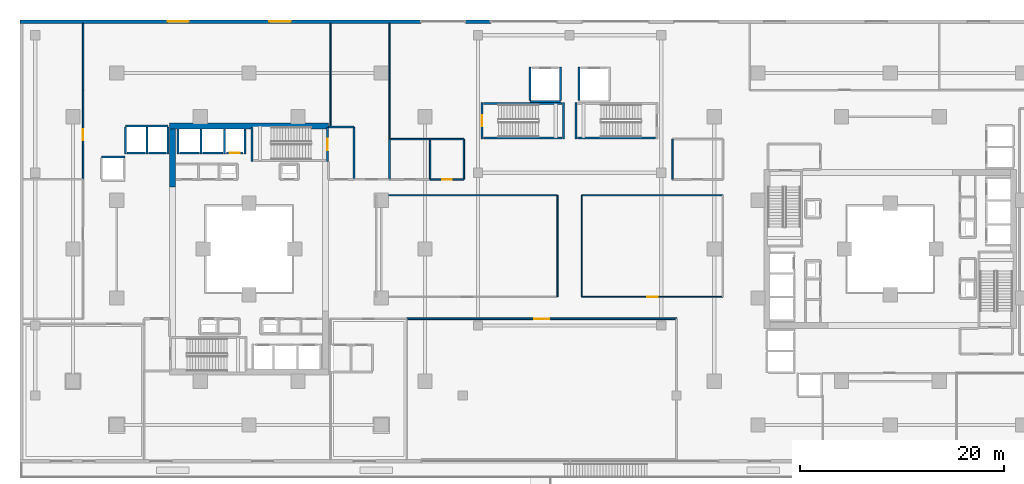
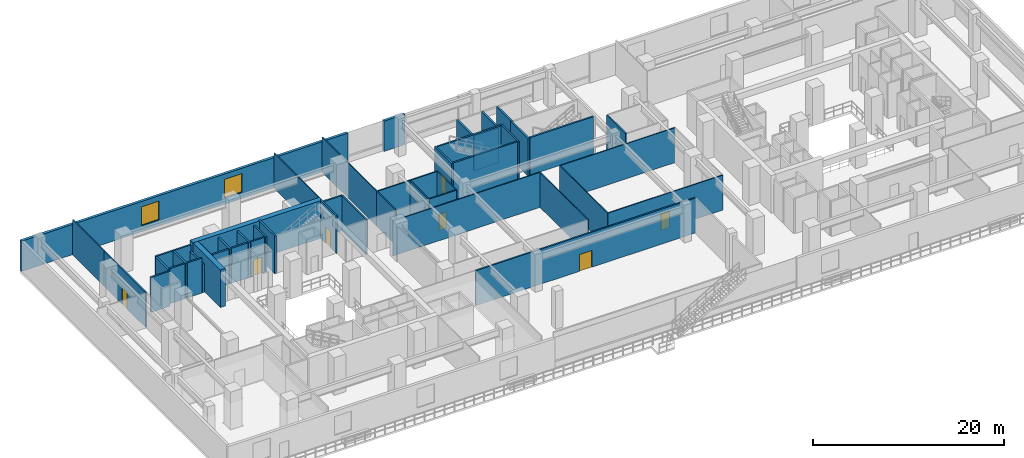
# One storey, part 13 of 22: 49 walls, 7 doors, 2 windows, 9 openings.
"""IFC4 building model written with IfcOpenShell, lengths in metres."""

from ifc_helpers import new_model, si_unit, direction, frame, frame_2d, origin, place, context, subcontext, project, spatial, rectangle, extrude, material, layer, layer_set, type_object, element, fill, save


model = new_model("IFC4")

# Units and contexts
model_context = context("Model", 3, precision=1e-05, world=origin(), true_north=direction((0.0, 1.0)))
body_context = subcontext(model_context, "Body", "Model", "MODEL_VIEW")
ifc_project = project(units=[si_unit("LENGTHUNIT", "METRE"), si_unit("AREAUNIT", "SQUARE_METRE"), si_unit("VOLUMEUNIT", "CUBIC_METRE"), si_unit("PLANEANGLEUNIT", "RADIAN"), si_unit("MASSUNIT", "GRAM", prefix="KILO")], contexts=[model_context])

# Site, building, storey
site_placement = place(None, origin())
site = spatial("IfcSite", under=ifc_project, at=site_placement, CompositionType="ELEMENT")
building_placement = place(site_placement, origin())
building = spatial("IfcBuilding", under=site, at=building_placement, Name="Thornwick Lancets Civic Towers", CompositionType="ELEMENT")
storey_placement = place(building_placement, frame((0.0, 0.0, 4.800048828125)))
storey = spatial("IfcBuildingStorey", under=building, at=storey_placement, Name="L01", CompositionType="ELEMENT", Elevation=4.800048828125)

# Wall, opening, door
ifc_material_1 = material(Name="Concrete blockwork C40/50", Category="masonry")
ifc_layer_1 = layer(ifc_material_1, 0.199951171875, Name="Concrete blockwork C40/50")
ifc_layer_set_1 = layer_set([ifc_layer_1], Name="Concrete blockwork C40/50")
wall_type_1 = type_object("IfcWallType", Name="WALL_COMP_200", PredefinedType="STANDARD", material=ifc_layer_set_1)
wall_1_placement = place(storey_placement, frame((24.919921875, 36.449951171875, 0.0), z_axis=(0.0, 0.0, 1.0), x_axis=(-1.0, 0.0, 0.0)))
wall_1 = element("IfcWall", 1, at=wall_1_placement, inside=storey, type_object=wall_type_1, Name="L01 Hoistway Front Wall FL-A2", PredefinedType="STANDARD", context=body_context, shape_type="SweptSolid", body=[
    extrude(rectangle(XDim=1.639892578125, YDim=0.199951171875, at=frame_2d((0.81982421875, 0.0))), origin(), (0.0, 0.0, 1.0), 4.4599609375),
])
opening_1_placement = place(wall_1_placement, frame((0.31005859375, 0.0, 0.0)))
opening_1 = element("IfcOpeningElement", 2, at=opening_1_placement, cuts=wall_1, Name="Opening LD-FL-A2", PredefinedType="OPENING", context=body_context, shape_type="SweptSolid", body=[
    extrude(rectangle(XDim=1.02001953125, YDim=2.06005859375, at=frame_2d((0.510009765625, 1.030029296875))), frame((0.0, 0.10986328125, 0.0), z_axis=(0.0, -1.0, 0.0), x_axis=(1.0, 0.0, 0.0)), (0.0, 0.0, 1.0), 0.219970703125),
])
ifc_material_2 = material(Name="Brushed bronze stainless steel", Category="steel")
door_type_1 = type_object("IfcDoorType", Name="DOOR_LIFT_SLIDE", OperationType="SLIDING_TO_LEFT", PredefinedType="DOOR", material=ifc_material_2)
door_1_placement = place(opening_1_placement, origin())
door_1 = element("IfcDoor", 3, at=door_1_placement, inside=storey, type_object=door_type_1, Name="L01 Sliding Lift Landing Door LD-FL-A2", OperationType="SLIDING_TO_LEFT", OverallHeight=2.06005859375, OverallWidth=1.02001953125, PredefinedType="DOOR", context=body_context, shape_type="SweptSolid", body=[
    extrude(rectangle(XDim=1.02001953125, YDim=2.06005859375, at=frame_2d((0.510009765625, 1.030029296875))), frame((0.0, 0.02490234375, 0.0), z_axis=(0.0, -1.0, 0.0), x_axis=(1.0, 0.0, 0.0)), (0.0, 0.0, 1.0), 0.050048828125),
])
fill(opening_1, door_1)

# Walls
wall_2_placement = place(storey_placement, frame((22.919921875, 36.449951171875, 0.0), z_axis=(0.0, 0.0, 1.0), x_axis=(-1.0, 0.0, 0.0)))
element("IfcWall", 4, at=wall_2_placement, inside=storey, type_object=wall_type_1, Name="L01 Hoistway Front Wall PL-AH2", PredefinedType="STANDARD", context=body_context, shape_type="SweptSolid", body=[
    extrude(rectangle(XDim=1.989990234375, YDim=0.199951171875, at=frame_2d((0.9951171875, 0.0))), origin(), (0.0, 0.0, 1.0), 4.4599609375),
])
wall_3_placement = place(storey_placement, frame((20.6201171875, 36.449951171875, 0.0), z_axis=(0.0, 0.0, 1.0), x_axis=(-1.0, 0.0, 0.0)))
element("IfcWall", 5, at=wall_3_placement, inside=storey, type_object=wall_type_1, Name="L01 Hoistway Front Wall PL-AH3", PredefinedType="STANDARD", context=body_context, shape_type="SweptSolid", body=[
    extrude(rectangle(XDim=1.940185546875, YDim=0.199951171875, at=frame_2d((0.97021484375, 0.0))), origin(), (0.0, 0.0, 1.0), 4.4599609375),
])
wall_4_placement = place(storey_placement, frame((17.3701171875, 36.449951171875, 0.0), z_axis=(0.0, 0.0, 1.0), x_axis=(-1.0, 0.0, 0.0)))
element("IfcWall", 6, at=wall_4_placement, inside=storey, type_object=wall_type_1, Name="L01 Hoistway Front Wall PL-AM1", PredefinedType="STANDARD", context=body_context, shape_type="SweptSolid", body=[
    extrude(rectangle(XDim=1.740234375, YDim=0.199951171875, at=frame_2d((0.8701171875, 0.0))), origin(), (0.0, 0.0, 1.0), 4.4599609375),
])
wall_5_placement = place(storey_placement, frame((15.320068359375, 36.449951171875, 0.0), z_axis=(0.0, 0.0, 1.0), x_axis=(-1.0, 0.0, 0.0)))
element("IfcWall", 7, at=wall_5_placement, inside=storey, type_object=wall_type_1, Name="L01 Hoistway Front Wall PL-AM2", PredefinedType="STANDARD", context=body_context, shape_type="SweptSolid", body=[
    extrude(rectangle(XDim=1.7900390625, YDim=0.199951171875, at=frame_2d((0.89501953125, 0.0))), origin(), (0.0, 0.0, 1.0), 4.4599609375),
])
for number, where, z_axis, x_axis, name in (
    (8, (25.10009765625, 36.35205078125, 0.0), (0.0, 0.0, 1.0), (0.0, 1.0, 0.0), "L01 Hoistway Shaft Wall FL-A2 E"),
    (9, (23.10009765625, 36.35205078125, 0.0), (0.0, 0.0, 1.0), (0.0, 1.0, 0.0), "L01 Hoistway Shaft Wall FL-A2 W"),
    (10, (20.77490234375, 36.35205078125, 0.0), (0.0, 0.0, 1.0), (0.0, 1.0, 0.0), "L01 Hoistway Shaft Wall PL-AH2 W"),
    (11, (18.5, 36.35205078125, 0.0), (0.0, 0.0, 1.0), (0.0, 1.0, 0.0), "L01 Hoistway Shaft Wall PL-AH3 W"),
):
    element("IfcWall", number, at=place(storey_placement, frame(where, z_axis=z_axis, x_axis=x_axis)), inside=storey, type_object=wall_type_1, Name=name, PredefinedType="STANDARD", context=body_context, shape_type="SweptSolid", body=[
        extrude(rectangle(XDim=2.43603515625, YDim=0.199951171875, at=frame_2d((1.218017578125, 0.0))), origin(), (0.0, 0.0, 1.0), 4.4599609375),
    ])
wall_6_placement = place(storey_placement, frame((13.35205078125, 39.10009765625, 0.0), z_axis=(0.0, 0.0, 1.0), x_axis=(1.0, 0.0, 0.0)))
element("IfcWall", 12, at=wall_6_placement, inside=storey, type_object=wall_type_1, Name="L01 Hoistway Shaft Wall PL-AM1 N", PredefinedType="STANDARD", context=body_context, shape_type="SweptSolid", body=[
    extrude(rectangle(XDim=4.196044921875, YDim=0.199951171875, at=frame_2d((2.09814453125, 0.0))), origin(), (0.0, 0.0, 1.0), 4.4599609375),
])
wall_7_placement = place(storey_placement, frame((17.550048828125, 36.35205078125, 0.0), z_axis=(0.0, 0.0, 1.0), x_axis=(0.0, 1.0, 0.0)))
element("IfcWall", 13, at=wall_7_placement, inside=storey, type_object=wall_type_1, Name="L01 Hoistway Shaft Wall PL-AM1 E", PredefinedType="STANDARD", context=body_context, shape_type="SweptSolid", body=[
    extrude(rectangle(XDim=2.635986328125, YDim=0.199951171875, at=frame_2d((1.31787109375, 0.0))), origin(), (0.0, 0.0, 1.0), 3.6650390625),
])
for number, where, z_axis, x_axis, name in (
    (14, (15.47509765625, 36.35205078125, 0.0), (0.0, 0.0, 1.0), (0.0, 1.0, 0.0), "L01 Hoistway Shaft Wall PL-AM1 W"),
    (15, (13.35009765625, 36.35205078125, 0.0), (0.0, 0.0, 1.0), (0.0, 1.0, 0.0), "L01 Hoistway Shaft Wall PL-AM2 W"),
):
    element("IfcWall", number, at=place(storey_placement, frame(where, z_axis=z_axis, x_axis=x_axis)), inside=storey, type_object=wall_type_1, Name=name, PredefinedType="STANDARD", context=body_context, shape_type="SweptSolid", body=[
        extrude(rectangle(XDim=2.635986328125, YDim=0.199951171875, at=frame_2d((1.31787109375, 0.0))), origin(), (0.0, 0.0, 1.0), 4.4599609375),
    ])
wall_8_placement = place(storey_placement, frame((11.001953125, 36.050048828125, 0.0), z_axis=(0.0, 0.0, 1.0), x_axis=(1.0, 0.0, 0.0)))
element("IfcWall", 16, at=wall_8_placement, inside=storey, type_object=wall_type_1, Name="L01 Hoistway Shaft Wall PL-AM3 N", PredefinedType="STANDARD", context=body_context, shape_type="SweptSolid", body=[
    extrude(rectangle(XDim=2.296142578125, YDim=0.199951171875, at=frame_2d((1.14794921875, 0.0))), origin(), (0.0, 0.0, 1.0), 4.4599609375),
])
wall_9_placement = place(storey_placement, frame((53.10205078125, 41.5, 0.0), z_axis=(0.0, 0.0, 1.0), x_axis=(1.0, 0.0, 0.0)))
element("IfcWall", 17, at=wall_9_placement, inside=storey, type_object=wall_type_1, Name="L01 Hoistway Shaft Wall GL-P1 S", PredefinedType="STANDARD", context=body_context, shape_type="SweptSolid", body=[
    extrude(rectangle(XDim=2.995849609375, YDim=0.199951171875, at=frame_2d((1.498046875, 0.0))), origin(), (0.0, 0.0, 1.0), 4.4599609375),
])
for number, where, z_axis, x_axis, name in (
    (18, (56.10009765625, 41.612060546875, 0.0), (0.0, 0.0, 1.0), (0.0, 1.0, 0.0), "L01 Hoistway Shaft Wall GL-P1 E"),
    (19, (53.10009765625, 41.612060546875, 0.0), (0.0, 0.0, 1.0), (0.0, 1.0, 0.0), "L01 Hoistway Shaft Wall GL-P1 W"),
    (20, (57.89990234375, 41.612060546875, 0.0), (0.0, 0.0, 1.0), (0.0, 1.0, 0.0), "L01 Hoistway Shaft Wall GL-P2 W"),
):
    element("IfcWall", number, at=place(storey_placement, frame(where, z_axis=z_axis, x_axis=x_axis)), inside=storey, type_object=wall_type_1, Name=name, PredefinedType="STANDARD", context=body_context, shape_type="SweptSolid", body=[
        extrude(rectangle(XDim=3.285888671875, YDim=0.199951171875, at=frame_2d((1.64306640625, 0.0))), origin(), (0.0, 0.0, 1.0), 4.4599609375),
    ])
wall_10_placement = place(storey_placement, frame((35.800048828125, 33.85009765625, 0.0), z_axis=(0.0, 0.0, 1.0), x_axis=(0.0, 1.0, 0.0)))
element("IfcWall", 21, at=wall_10_placement, inside=storey, type_object=wall_type_1, Name="L01 Partition L01-A-FFLOB2 E2", PredefinedType="STANDARD", context=body_context, shape_type="SweptSolid", body=[
    extrude(rectangle(XDim=5.14990234375, YDim=0.199951171875, at=frame_2d((2.574951171875, 0.0))), origin(), (0.0, 0.0, 1.0), 4.4599609375),
])
wall_11_placement = place(storey_placement, frame((35.800048828125, 39.0, 0.0), z_axis=(0.0, 0.0, 1.0), x_axis=(-1.0, 0.0, 0.0)))
element("IfcWall", 22, at=wall_11_placement, inside=storey, type_object=wall_type_1, Name="L01 Partition L01-A-FFLOB2 E3", PredefinedType="STANDARD", context=body_context, shape_type="SweptSolid", body=[
    extrude(rectangle(XDim=2.5, YDim=0.199951171875, at=frame_2d((1.25, 0.0))), origin(), (0.0, 0.0, 1.0), 4.4599609375),
])
ifc_material_3 = material(Name="Concrete C60/75", Category="concrete")
ifc_layer_2 = layer(ifc_material_3, 0.60009765625, Name="Concrete C60/75")
ifc_layer_set_2 = layer_set([ifc_layer_2], Name="Concrete C60/75")
wall_type_2 = type_object("IfcWallType", Name="WALL_CORE_600", PredefinedType="SHEAR", material=ifc_layer_set_2)
wall_12_placement = place(storey_placement, frame((17.699951171875, 39.10009765625, 0.0), z_axis=(0.0, 0.0, 1.0), x_axis=(1.0, 0.0, 0.0)))
element("IfcWall", 23, at=wall_12_placement, inside=storey, type_object=wall_type_2, Name="L01 Split Core A2 Shear Wall N", PredefinedType="SHEAR", context=body_context, shape_type="SweptSolid", body=[
    extrude(rectangle(XDim=15.60009765625, YDim=0.60009765625, at=frame_2d((7.800048828125, 0.0))), origin(), (0.0, 0.0, 1.0), 4.800048828125),
])
wall_13_placement = place(storey_placement, frame((18.0, 33.10009765625, 0.0), z_axis=(0.0, 0.0, 1.0), x_axis=(0.0, 1.0, 0.0)))
element("IfcWall", 24, at=wall_13_placement, inside=storey, type_object=wall_type_2, Name="L01 Split Core A2 Shear Wall W", PredefinedType="SHEAR", context=body_context, shape_type="SweptSolid", body=[
    extrude(rectangle(XDim=5.699951171875, YDim=0.60009765625, at=frame_2d((2.85009765625, 0.0))), origin(), (0.0, 0.0, 1.0), 4.800048828125),
])
ifc_material_4 = material(Name="Insulated buff terracotta rainscreen on concrete C40/50", Category="masonry")
ifc_layer_3 = layer(ifc_material_4, 0.320068359375, Name="Insulated buff terracotta rainscreen on concrete C40/50")
ifc_layer_set_3 = layer_set([ifc_layer_3], Name="Insulated buff terracotta rainscreen on concrete C40/50")
wall_type_3 = type_object("IfcWallType", Name="WALL_EXT_TERRA_320", PredefinedType="STANDARD", material=ifc_layer_set_3)
wall_14_placement = place(storey_placement, frame((49.25, 49.340087890625, 0.0), z_axis=(0.0, 0.0, 1.0), x_axis=(-1.0, 0.0, 0.0)))
element("IfcWall", 25, at=wall_14_placement, inside=storey, type_object=wall_type_3, Name="L01 Podium North Facade Pier 3", PredefinedType="STANDARD", context=body_context, shape_type="SweptSolid", body=[
    extrude(rectangle(XDim=2.5, YDim=0.320068359375, at=frame_2d((1.25, 0.0))), origin(), (0.0, 0.0, 1.0), 3.85986328125),
])

# Wall, openings, windows
wall_15_placement = place(storey_placement, frame((42.39990234375, 49.340087890625, 0.0), z_axis=(0.0, 0.0, 1.0), x_axis=(-1.0, 0.0, 0.0)))
wall_15 = element("IfcWall", 26, at=wall_15_placement, inside=storey, type_object=wall_type_3, Name="L01 Podium North-West Facade Wall", PredefinedType="STANDARD", context=body_context, shape_type="SweptSolid", body=[
    extrude(rectangle(XDim=39.39990234375, YDim=0.320068359375, at=frame_2d((19.699951171875, 0.0))), origin(), (0.0, 0.0, 1.0), 3.85986328125),
])
opening_2_placement = place(wall_15_placement, frame((12.800048828125, 0.0, 0.780029296875)))
opening_2 = element("IfcOpeningElement", 27, at=opening_2_placement, cuts=wall_15, Name="Opening WP-21", PredefinedType="OPENING", context=body_context, shape_type="SweptSolid", body=[
    extrude(rectangle(XDim=2.10009765625, YDim=2.39990234375, at=frame_2d((1.050048828125, 1.199951171875))), frame((0.0, 0.169921875, 0.0), z_axis=(0.0, -1.0, 0.0), x_axis=(1.0, 0.0, 0.0)), (0.0, 0.0, 1.0), 0.340087890625),
])
opening_3_placement = place(wall_15_placement, frame((22.800048828125, 0.0, 0.780029296875)))
opening_3 = element("IfcOpeningElement", 28, at=opening_3_placement, cuts=wall_15, Name="Opening WP-21", PredefinedType="OPENING", context=body_context, shape_type="SweptSolid", body=[
    extrude(rectangle(XDim=2.10009765625, YDim=2.39990234375, at=frame_2d((1.050048828125, 1.199951171875))), frame((0.0, 0.169921875, 0.0), z_axis=(0.0, -1.0, 0.0), x_axis=(1.0, 0.0, 0.0)), (0.0, 0.0, 1.0), 0.340087890625),
])
ifc_material_5 = material(Name="Grand civic pointed lancet glass window", Category="glass")
window_type = type_object("IfcWindowType", Name="WIN_PODIUM_2100", PartitioningType="SINGLE_PANEL", PredefinedType="WINDOW", material=ifc_material_5)
window_1_placement = place(opening_2_placement, origin())
window_1 = element("IfcWindow", 29, at=window_1_placement, inside=storey, type_object=window_type, Name="L01 Podium Lancet Window 2", OverallHeight=2.39990234375, OverallWidth=2.10009765625, PartitioningType="SINGLE_PANEL", PredefinedType="WINDOW", context=body_context, shape_type="SweptSolid", body=[
    extrude(rectangle(XDim=2.10009765625, YDim=2.39990234375, at=frame_2d((1.050048828125, 1.199951171875))), frame((0.0, 0.030029296875, 0.0), z_axis=(0.0, -1.0, 0.0), x_axis=(1.0, 0.0, 0.0)), (0.0, 0.0, 1.0), 0.06005859375),
])
fill(opening_2, window_1)
window_2_placement = place(opening_3_placement, origin())
window_2 = element("IfcWindow", 30, at=window_2_placement, inside=storey, type_object=window_type, Name="L01 Podium Lancet Window 3", OverallHeight=2.39990234375, OverallWidth=2.10009765625, PartitioningType="SINGLE_PANEL", PredefinedType="WINDOW", context=body_context, shape_type="SweptSolid", body=[
    extrude(rectangle(XDim=2.10009765625, YDim=2.39990234375, at=frame_2d((1.050048828125, 1.199951171875))), frame((0.0, 0.030029296875, 0.0), z_axis=(0.0, -1.0, 0.0), x_axis=(1.0, 0.0, 0.0)), (0.0, 0.0, 1.0), 0.06005859375),
])
fill(opening_3, window_2)

# Walls
ifc_material_6 = material(Name="Acoustic gypsum board partition")
ifc_layer_4 = layer(ifc_material_6, 0.1201171875, Name="Acoustic gypsum board partition")
ifc_layer_set_4 = layer_set([ifc_layer_4], Name="Acoustic gypsum board partition")
wall_type_4 = type_object("IfcWallType", Name="WALL_PART_120", PredefinedType="PARTITIONING", material=ifc_layer_set_4)
wall_16_placement = place(storey_placement, frame((38.0, 32.280029296875, 0.0), z_axis=(0.0, 0.0, 1.0), x_axis=(1.0, 0.0, 0.0)))
element("IfcWall", 31, at=wall_16_placement, inside=storey, type_object=wall_type_4, Name="L01 Partition L01-WHIP E3", PredefinedType="PARTITIONING", context=body_context, shape_type="SweptSolid", body=[
    extrude(rectangle(XDim=17.800048828125, YDim=0.1201171875, at=frame_2d((8.89990234375, 0.0))), origin(), (0.0, 0.0, 1.0), 4.4599609375),
])
wall_17_placement = place(storey_placement, frame((55.800048828125, 32.280029296875, 0.0), z_axis=(0.0, 0.0, 1.0), x_axis=(0.0, -1.0, 0.0)))
element("IfcWall", 32, at=wall_17_placement, inside=storey, type_object=wall_type_4, Name="L01 Partition L01-WHIP E4", PredefinedType="PARTITIONING", context=body_context, shape_type="SweptSolid", body=[
    extrude(rectangle(XDim=9.97998046875, YDim=0.1201171875, at=frame_2d((4.989990234375, 0.0))), origin(), (0.0, 0.0, 1.0), 4.4599609375),
])

# Wall, opening, door
wall_18_placement = place(storey_placement, frame((72.050048828125, 22.300048828125, 0.0), z_axis=(0.0, 0.0, 1.0), x_axis=(-1.0, 0.0, 0.0)))
wall_18 = element("IfcWall", 33, at=wall_18_placement, inside=storey, type_object=wall_type_4, Name="L01 Partition L01-LEGAL E1", PredefinedType="PARTITIONING", context=body_context, shape_type="SweptSolid", body=[
    extrude(rectangle(XDim=13.85009765625, YDim=0.1201171875, at=frame_2d((6.925048828125, 0.0))), origin(), (0.0, 0.0, 1.0), 4.4599609375),
])
opening_4_placement = place(wall_18_placement, frame((6.39990234375, 0.0, 0.0)))
opening_4 = element("IfcOpeningElement", 34, at=opening_4_placement, cuts=wall_18, Name="Opening D-L01-0126", PredefinedType="OPENING", context=body_context, shape_type="SweptSolid", body=[
    extrude(rectangle(XDim=1.050048828125, YDim=2.10009765625, at=frame_2d((0.52490234375, 1.050048828125))), frame((0.0, 0.070068359375, 0.0), z_axis=(0.0, -1.0, 0.0), x_axis=(1.0, 0.0, 0.0)), (0.0, 0.0, 1.0), 0.14013671875),
])
ifc_material_7 = material(Name="Glazed European oak executive doorset")
door_type_2 = type_object("IfcDoorType", Name="DOOR_OFFICE_1050", OperationType="NOTDEFINED", PredefinedType="DOOR", material=ifc_material_7)
door_2_placement = place(opening_4_placement, origin())
door_2 = element("IfcDoor", 35, at=door_2_placement, inside=storey, type_object=door_type_2, Name="Legislative Drafting Chambers Door", OperationType="SINGLE_SWING_LEFT", OverallHeight=2.10009765625, OverallWidth=1.050048828125, PredefinedType="DOOR", context=body_context, shape_type="SweptSolid", body=[
    extrude(rectangle(XDim=1.050048828125, YDim=2.10009765625, at=frame_2d((0.52490234375, 1.050048828125))), frame((0.0, 0.02490234375, 0.0), z_axis=(0.0, -1.0, 0.0), x_axis=(1.0, 0.0, 0.0)), (0.0, 0.0, 1.0), 0.050048828125),
])
fill(opening_4, door_2)

# Walls
wall_19_placement = place(storey_placement, frame((58.199951171875, 22.300048828125, 0.0), z_axis=(0.0, 0.0, 1.0), x_axis=(0.0, 1.0, 0.0)))
element("IfcWall", 36, at=wall_19_placement, inside=storey, type_object=wall_type_4, Name="L01 Partition L01-LEGAL E2", PredefinedType="PARTITIONING", context=body_context, shape_type="SweptSolid", body=[
    extrude(rectangle(XDim=9.97998046875, YDim=0.1201171875, at=frame_2d((4.989990234375, 0.0))), origin(), (0.0, 0.0, 1.0), 4.4599609375),
])
wall_20_placement = place(storey_placement, frame((58.199951171875, 32.280029296875, 0.0), z_axis=(0.0, 0.0, 1.0), x_axis=(1.0, 0.0, 0.0)))
element("IfcWall", 37, at=wall_20_placement, inside=storey, type_object=wall_type_4, Name="L01 Partition L01-LEGAL E3", PredefinedType="PARTITIONING", context=body_context, shape_type="SweptSolid", body=[
    extrude(rectangle(XDim=13.85009765625, YDim=0.1201171875, at=frame_2d((6.925048828125, 0.0))), origin(), (0.0, 0.0, 1.0), 4.4599609375),
])
wall_21_placement = place(storey_placement, frame((33.5, 39.0, 0.0), z_axis=(0.0, 0.0, 1.0), x_axis=(0.0, 1.0, 0.0)))
element("IfcWall", 38, at=wall_21_placement, inside=storey, type_object=wall_type_4, Name="L01 Partition L01-TRNW E3", PredefinedType="PARTITIONING", context=body_context, shape_type="SweptSolid", body=[
    extrude(rectangle(XDim=10.179931640625, YDim=0.1201171875, at=frame_2d((5.08984375, 0.0))), origin(), (0.0, 0.0, 1.0), 4.4599609375),
])
wall_22_placement = place(storey_placement, frame((39.300048828125, 49.179931640625, 0.0), z_axis=(0.0, 0.0, 1.0), x_axis=(0.0, -1.0, 0.0)))
element("IfcWall", 39, at=wall_22_placement, inside=storey, type_object=wall_type_4, Name="L01 Partition L01-TRNW E5", PredefinedType="PARTITIONING", context=body_context, shape_type="SweptSolid", body=[
    extrude(rectangle(XDim=11.3798828125, YDim=0.1201171875, at=frame_2d((5.68994140625, 0.0))), origin(), (0.0, 0.0, 1.0), 4.4599609375),
])
ifc_material_8 = material(Name="Twin-stud acoustic gypsum board")
ifc_layer_5 = layer(ifc_material_8, 0.14990234375, Name="Twin-stud acoustic gypsum board")
ifc_layer_set_5 = layer_set([ifc_layer_5], Name="Twin-stud acoustic gypsum board")
wall_type_5 = type_object("IfcWallType", Name="WALL_PART_150", PredefinedType="PARTITIONING", material=ifc_layer_set_5)
wall_23_placement = place(storey_placement, frame((43.300048828125, 33.85009765625, 0.0), z_axis=(0.0, 0.0, 1.0), x_axis=(0.0, 1.0, 0.0)))
element("IfcWall", 40, at=wall_23_placement, inside=storey, type_object=wall_type_5, Name="L01 Partition L01-POD-MWC E2", PredefinedType="PARTITIONING", context=body_context, shape_type="SweptSolid", body=[
    extrude(rectangle(XDim=3.949951171875, YDim=0.14990234375, at=frame_2d((1.97509765625, 0.0))), origin(), (0.0, 0.0, 1.0), 4.4599609375),
])
wall_24_placement = place(storey_placement, frame((43.300048828125, 37.800048828125, 0.0), z_axis=(0.0, 0.0, 1.0), x_axis=(-1.0, 0.0, 0.0)))
element("IfcWall", 41, at=wall_24_placement, inside=storey, type_object=wall_type_5, Name="L01 Partition L01-POD-MWC E3", PredefinedType="PARTITIONING", context=body_context, shape_type="SweptSolid", body=[
    extrude(rectangle(XDim=4.0, YDim=0.14990234375, at=frame_2d((2.0, 0.0))), origin(), (0.0, 0.0, 1.0), 4.4599609375),
])
for number, where, z_axis, x_axis, name in (
    (42, (39.300048828125, 37.800048828125, 0.0), (0.0, 0.0, 1.0), (0.0, -1.0, 0.0), "L01 Partition L01-POD-MWC E4"),
    (43, (67.10009765625, 37.800048828125, 0.0), (0.0, 0.0, 1.0), (0.0, -1.0, 0.0), "L01 Partition L01-POD-FWC E4"),
    (44, (46.60009765625, 37.800048828125, 0.0), (0.0, 0.0, 1.0), (0.0, -1.0, 0.0), "L01 Partition L01-POD-AWC E1"),
):
    element("IfcWall", number, at=place(storey_placement, frame(where, z_axis=z_axis, x_axis=x_axis)), inside=storey, type_object=wall_type_5, Name=name, PredefinedType="PARTITIONING", context=body_context, shape_type="SweptSolid", body=[
        extrude(rectangle(XDim=3.949951171875, YDim=0.14990234375, at=frame_2d((1.97509765625, 0.0))), origin(), (0.0, 0.0, 1.0), 4.4599609375),
    ])

# Wall, opening, door
wall_25_placement = place(storey_placement, frame((46.60009765625, 33.85009765625, 0.0), z_axis=(0.0, 0.0, 1.0), x_axis=(-1.0, 0.0, 0.0)))
wall_25 = element("IfcWall", 45, at=wall_25_placement, inside=storey, type_object=wall_type_5, Name="L01 Partition L01-POD-AWC E2", PredefinedType="PARTITIONING", context=body_context, shape_type="SweptSolid", body=[
    extrude(rectangle(XDim=3.300048828125, YDim=0.14990234375, at=frame_2d((1.64990234375, 0.0))), origin(), (0.0, 0.0, 1.0), 4.4599609375),
])
opening_5_placement = place(wall_25_placement, frame((1.18994140625, 0.0, 0.0)))
opening_5 = element("IfcOpeningElement", 46, at=opening_5_placement, cuts=wall_25, Name="Opening D-L01-0118", PredefinedType="OPENING", context=body_context, shape_type="SweptSolid", body=[
    extrude(rectangle(XDim=0.919921875, YDim=2.080078125, at=frame_2d((0.4599609375, 1.0400390625))), frame((0.0, 0.0849609375, 0.0), z_axis=(0.0, -1.0, 0.0), x_axis=(1.0, 0.0, 0.0)), (0.0, 0.0, 1.0), 0.169921875),
])
ifc_material_9 = material(Name="Moisture-resistant oak doorset")
door_type_3 = type_object("IfcDoorType", Name="DOOR_WC_900", OperationType="NOTDEFINED", PredefinedType="DOOR", material=ifc_material_9)
door_3_placement = place(opening_5_placement, origin())
door_3 = element("IfcDoor", 47, at=door_3_placement, inside=storey, type_object=door_type_3, Name="L01 Podium Accessible WC Door", OperationType="SINGLE_SWING_LEFT", OverallHeight=2.080078125, OverallWidth=0.919921875, PredefinedType="DOOR", context=body_context, shape_type="SweptSolid", body=[
    extrude(rectangle(XDim=0.919921875, YDim=2.080078125, at=frame_2d((0.4599609375, 1.0400390625))), frame((0.0, 0.02490234375, 0.0), z_axis=(0.0, -1.0, 0.0), x_axis=(1.0, 0.0, 0.0)), (0.0, 0.0, 1.0), 0.050048828125),
])
fill(opening_5, door_3)

# Walls
wall_26_placement = place(storey_placement, frame((43.300048828125, 37.800048828125, 0.0), z_axis=(0.0, 0.0, 1.0), x_axis=(1.0, 0.0, 0.0)))
element("IfcWall", 48, at=wall_26_placement, inside=storey, type_object=wall_type_5, Name="L01 Partition L01-POD-AWC E4", PredefinedType="PARTITIONING", context=body_context, shape_type="SweptSolid", body=[
    extrude(rectangle(XDim=3.300048828125, YDim=0.14990234375, at=frame_2d((1.64990234375, 0.0))), origin(), (0.0, 0.0, 1.0), 4.4599609375),
])
wall_27_placement = place(storey_placement, frame((9.199951171875, 49.179931640625, 0.0), z_axis=(0.0, 0.0, 1.0), x_axis=(0.0, -1.0, 0.0)))
element("IfcWall", 49, at=wall_27_placement, inside=storey, type_object=wall_type_5, Name="L01 Partition L01-ARCH E3", PredefinedType="PARTITIONING", context=body_context, shape_type="SweptSolid", body=[
    extrude(rectangle(XDim=6.579833984375, YDim=0.14990234375, at=frame_2d((3.2900390625, 0.0))), origin(), (0.0, 0.0, 1.0), 4.4599609375),
])

# Wall, opening, door
wall_28_placement = place(storey_placement, frame((9.199951171875, 42.60009765625, 0.0), z_axis=(0.0, 0.0, 1.0), x_axis=(0.0, -1.0, 0.0)))
wall_28 = element("IfcWall", 50, at=wall_28_placement, inside=storey, type_object=wall_type_5, Name="L01 Partition L01-ARCH E4", PredefinedType="PARTITIONING", context=body_context, shape_type="SweptSolid", body=[
    extrude(rectangle(XDim=8.75, YDim=0.14990234375, at=frame_2d((4.375, 0.0))), origin(), (0.0, 0.0, 1.0), 4.4599609375),
])
opening_6_placement = place(wall_28_placement, frame((3.85009765625, 0.0, 0.0)))
opening_6 = element("IfcOpeningElement", 51, at=opening_6_placement, cuts=wall_28, Name="Opening D-L01-0128", PredefinedType="OPENING", context=body_context, shape_type="SweptSolid", body=[
    extrude(rectangle(XDim=1.050048828125, YDim=2.10009765625, at=frame_2d((0.52490234375, 1.050048828125))), frame((0.0, 0.0849609375, 0.0), z_axis=(0.0, -1.0, 0.0), x_axis=(1.0, 0.0, 0.0)), (0.0, 0.0, 1.0), 0.169921875),
])
door_4_placement = place(opening_6_placement, origin())
door_4 = element("IfcDoor", 52, at=door_4_placement, inside=storey, type_object=door_type_2, Name="Hansard and Council Archive Door", OperationType="SINGLE_SWING_LEFT", OverallHeight=2.10009765625, OverallWidth=1.050048828125, PredefinedType="DOOR", context=body_context, shape_type="SweptSolid", body=[
    extrude(rectangle(XDim=1.050048828125, YDim=2.10009765625, at=frame_2d((0.52490234375, 1.050048828125))), frame((0.0, 0.02490234375, 0.0), z_axis=(0.0, -1.0, 0.0), x_axis=(1.0, 0.0, 0.0)), (0.0, 0.0, 1.0), 0.050048828125),
])
fill(opening_6, door_4)

ifc_material_10 = material(Name="High-isolation twin-stud acoustic gypsum")
ifc_layer_6 = layer(ifc_material_10, 0.179931640625, Name="High-isolation twin-stud acoustic gypsum")
ifc_layer_set_6 = layer_set([ifc_layer_6], Name="High-isolation twin-stud acoustic gypsum")
wall_type_6 = type_object("IfcWallType", Name="WALL_PART_180", PredefinedType="PARTITIONING", material=ifc_layer_set_6)
wall_29_placement = place(storey_placement, frame((41.0, 20.14990234375, 0.0), z_axis=(0.0, 0.0, 1.0), x_axis=(1.0, 0.0, 0.0)))
wall_29 = element("IfcWall", 53, at=wall_29_placement, inside=storey, type_object=wall_type_6, Name="L01 Partition L01-CHAMB E3", PredefinedType="PARTITIONING", context=body_context, shape_type="SweptSolid", body=[
    extrude(rectangle(XDim=26.5, YDim=0.179931640625, at=frame_2d((13.25, 0.0))), origin(), (0.0, 0.0, 1.0), 4.4599609375),
])
opening_7_placement = place(wall_29_placement, frame((12.5, 0.0, 0.0)))
opening_7 = element("IfcOpeningElement", 54, at=opening_7_placement, cuts=wall_29, Name="Opening D-L01-0121", PredefinedType="OPENING", context=body_context, shape_type="SweptSolid", body=[
    extrude(rectangle(XDim=1.5, YDim=2.14990234375, at=frame_2d((0.75, 1.074951171875))), frame((0.0, 0.10009765625, 0.0), z_axis=(0.0, -1.0, 0.0), x_axis=(1.0, 0.0, 0.0)), (0.0, 0.0, 1.0), 0.199951171875),
])
ifc_material_11 = material(Name="Glazed oak double doorset")
door_type_4 = type_object("IfcDoorType", Name="DOOR_SUITE_1500", OperationType="DOUBLE_DOOR_SINGLE_SWING", PredefinedType="DOOR", material=ifc_material_11)
door_5_placement = place(opening_7_placement, origin())
door_5 = element("IfcDoor", 55, at=door_5_placement, inside=storey, type_object=door_type_4, Name="Council Chamber Door", OperationType="DOUBLE_DOOR_SINGLE_SWING", OverallHeight=2.14990234375, OverallWidth=1.5, PredefinedType="DOOR", context=body_context, shape_type="SweptSolid", body=[
    extrude(rectangle(XDim=1.5, YDim=2.14990234375, at=frame_2d((0.75, 1.074951171875))), frame((0.0, 0.02490234375, 0.0), z_axis=(0.0, -1.0, 0.0), x_axis=(1.0, 0.0, 0.0)), (0.0, 0.0, 1.0), 0.050048828125),
])
fill(opening_7, door_5)

ifc_material_12 = material(Name="Concrete C40/50", Category="concrete")
ifc_layer_7 = layer(ifc_material_12, 0.199951171875, Name="Concrete C40/50")
ifc_layer_set_7 = layer_set([ifc_layer_7], Name="Concrete C40/50")
wall_type_7 = type_object("IfcWallType", Name="WALL_SHAFT_200", PredefinedType="SHEAR", material=ifc_layer_set_7)
wall_30_placement = place(storey_placement, frame((33.199951171875, 38.949951171875, 0.0), z_axis=(0.0, 0.0, 1.0), x_axis=(0.0, -1.0, 0.0)))
wall_30 = element("IfcWall", 56, at=wall_30_placement, inside=storey, type_object=wall_type_7, Name="L01 ST-A2 Fire Stair Core Wall NEAR", PredefinedType="SHEAR", context=body_context, shape_type="SweptSolid", body=[
    extrude(rectangle(XDim=3.349853515625, YDim=0.199951171875, at=frame_2d((1.6748046875, 0.0))), origin(), (0.0, 0.0, 1.0), 4.800048828125),
])
opening_8_placement = place(wall_30_placement, frame((1.125, 0.0, 0.0)))
opening_8 = element("IfcOpeningElement", 57, at=opening_8_placement, cuts=wall_30, Name="Opening D-ST-A2-L01", PredefinedType="OPENING", context=body_context, shape_type="SweptSolid", body=[
    extrude(rectangle(XDim=1.10009765625, YDim=2.10009765625, at=frame_2d((0.550048828125, 1.050048828125))), frame((0.0, 0.10986328125, 0.0), z_axis=(0.0, -1.0, 0.0), x_axis=(1.0, 0.0, 0.0)), (0.0, 0.0, 1.0), 0.219970703125),
])
ifc_material_13 = material(Name="Fire-resisting steel and hardwood", Category="steel")
door_type_5 = type_object("IfcDoorType", Name="DOOR_STAIR_FD60", OperationType="NOTDEFINED", PredefinedType="DOOR", material=ifc_material_13)
door_6_placement = place(opening_8_placement, origin())
door_6 = element("IfcDoor", 58, at=door_6_placement, inside=storey, type_object=door_type_5, Name="L01 ST-A2 Exit Stair Door", OperationType="SINGLE_SWING_RIGHT", OverallHeight=2.10009765625, OverallWidth=1.10009765625, PredefinedType="DOOR", context=body_context, shape_type="SweptSolid", body=[
    extrude(rectangle(XDim=1.10009765625, YDim=2.10009765625, at=frame_2d((0.550048828125, 1.050048828125))), frame((0.0, 0.02490234375, 0.0), z_axis=(0.0, -1.0, 0.0), x_axis=(1.0, 0.0, 0.0)), (0.0, 0.0, 1.0), 0.050048828125),
])
fill(opening_8, door_6)

# Wall
wall_31_placement = place(storey_placement, frame((25.800048828125, 35.60009765625, 0.0), z_axis=(0.0, 0.0, 1.0), x_axis=(0.0, 1.0, 0.0)))
element("IfcWall", 59, at=wall_31_placement, inside=storey, type_object=wall_type_7, Name="L01 ST-A2 Fire Stair Core Wall FAR", PredefinedType="SHEAR", context=body_context, shape_type="SweptSolid", body=[
    extrude(rectangle(XDim=3.349853515625, YDim=0.199951171875, at=frame_2d((1.6748046875, 0.0))), origin(), (0.0, 0.0, 1.0), 4.800048828125),
])

# Wall, opening, door
wall_32_placement = place(storey_placement, frame((48.39990234375, 37.800048828125, 0.0), z_axis=(0.0, 0.0, 1.0), x_axis=(0.0, 1.0, 0.0)))
wall_32 = element("IfcWall", 60, at=wall_32_placement, inside=storey, type_object=wall_type_7, Name="L01 ST-P5 Fire Stair Core Wall NEAR", PredefinedType="SHEAR", context=body_context, shape_type="SweptSolid", body=[
    extrude(rectangle(XDim=3.599853515625, YDim=0.199951171875, at=frame_2d((1.7998046875, 0.0))), origin(), (0.0, 0.0, 1.0), 4.800048828125),
])
opening_9_placement = place(wall_32_placement, frame((1.25, 0.0, 0.0)))
opening_9 = element("IfcOpeningElement", 61, at=opening_9_placement, cuts=wall_32, Name="Opening D-ST-P5-L01", PredefinedType="OPENING", context=body_context, shape_type="SweptSolid", body=[
    extrude(rectangle(XDim=1.10009765625, YDim=2.10009765625, at=frame_2d((0.550048828125, 1.050048828125))), frame((0.0, 0.10986328125, 0.0), z_axis=(0.0, -1.0, 0.0), x_axis=(1.0, 0.0, 0.0)), (0.0, 0.0, 1.0), 0.219970703125),
])
door_7_placement = place(opening_9_placement, origin())
door_7 = element("IfcDoor", 62, at=door_7_placement, inside=storey, type_object=door_type_5, Name="L01 ST-P5 Exit Stair Door", OperationType="SINGLE_SWING_LEFT", OverallHeight=2.10009765625, OverallWidth=1.10009765625, PredefinedType="DOOR", context=body_context, shape_type="SweptSolid", body=[
    extrude(rectangle(XDim=1.10009765625, YDim=2.10009765625, at=frame_2d((0.550048828125, 1.050048828125))), frame((0.0, 0.02490234375, 0.0), z_axis=(0.0, -1.0, 0.0), x_axis=(1.0, 0.0, 0.0)), (0.0, 0.0, 1.0), 0.050048828125),
])
fill(opening_9, door_7)

# Walls
wall_33_placement = place(storey_placement, frame((56.39990234375, 41.39990234375, 0.0), z_axis=(0.0, 0.0, 1.0), x_axis=(0.0, -1.0, 0.0)))
element("IfcWall", 63, at=wall_33_placement, inside=storey, type_object=wall_type_7, Name="L01 ST-P5 Fire Stair Core Wall FAR", PredefinedType="SHEAR", context=body_context, shape_type="SweptSolid", body=[
    extrude(rectangle(XDim=3.599853515625, YDim=0.199951171875, at=frame_2d((1.7998046875, 0.0))), origin(), (0.0, 0.0, 1.0), 4.800048828125),
])
for number, where, z_axis, x_axis, name in (
    (64, (56.25, 41.297119140625, 0.0), (0.0, 0.0, 1.0), (-1.0, 0.0, 0.0), "L01 ST-P5 Fire Stair Core Wall RIGHT"),
    (65, (48.550048828125, 37.903076171875, 0.0), (0.0, 0.0, 1.0), (1.0, 0.0, 0.0), "L01 ST-P5 Fire Stair Core Wall LEFT"),
):
    element("IfcWall", number, at=place(storey_placement, frame(where, z_axis=z_axis, x_axis=x_axis)), inside=storey, type_object=wall_type_7, Name=name, PredefinedType="SHEAR", context=body_context, shape_type="SweptSolid", body=[
        extrude(rectangle(XDim=7.699951171875, YDim=0.199951171875, at=frame_2d((3.85009765625, 0.0))), origin(), (0.0, 0.0, 1.0), 4.800048828125),
    ])
wall_34_placement = place(storey_placement, frame((57.60009765625, 37.800048828125, 0.0), z_axis=(0.0, 0.0, 1.0), x_axis=(0.0, 1.0, 0.0)))
element("IfcWall", 66, at=wall_34_placement, inside=storey, type_object=wall_type_7, Name="L01 ST-P6 Fire Stair Core Wall FAR", PredefinedType="SHEAR", context=body_context, shape_type="SweptSolid", body=[
    extrude(rectangle(XDim=3.599853515625, YDim=0.199951171875, at=frame_2d((1.7998046875, 0.0))), origin(), (0.0, 0.0, 1.0), 4.800048828125),
])
wall_35_placement = place(storey_placement, frame((57.75, 37.903076171875, 0.0), z_axis=(0.0, 0.0, 1.0), x_axis=(1.0, 0.0, 0.0)))
element("IfcWall", 67, at=wall_35_placement, inside=storey, type_object=wall_type_7, Name="L01 ST-P6 Fire Stair Core Wall RIGHT", PredefinedType="SHEAR", context=body_context, shape_type="SweptSolid", body=[
    extrude(rectangle(XDim=7.699951171875, YDim=0.199951171875, at=frame_2d((3.85009765625, 0.0))), origin(), (0.0, 0.0, 1.0), 4.800048828125),
])

save(model, "model.ifc")
